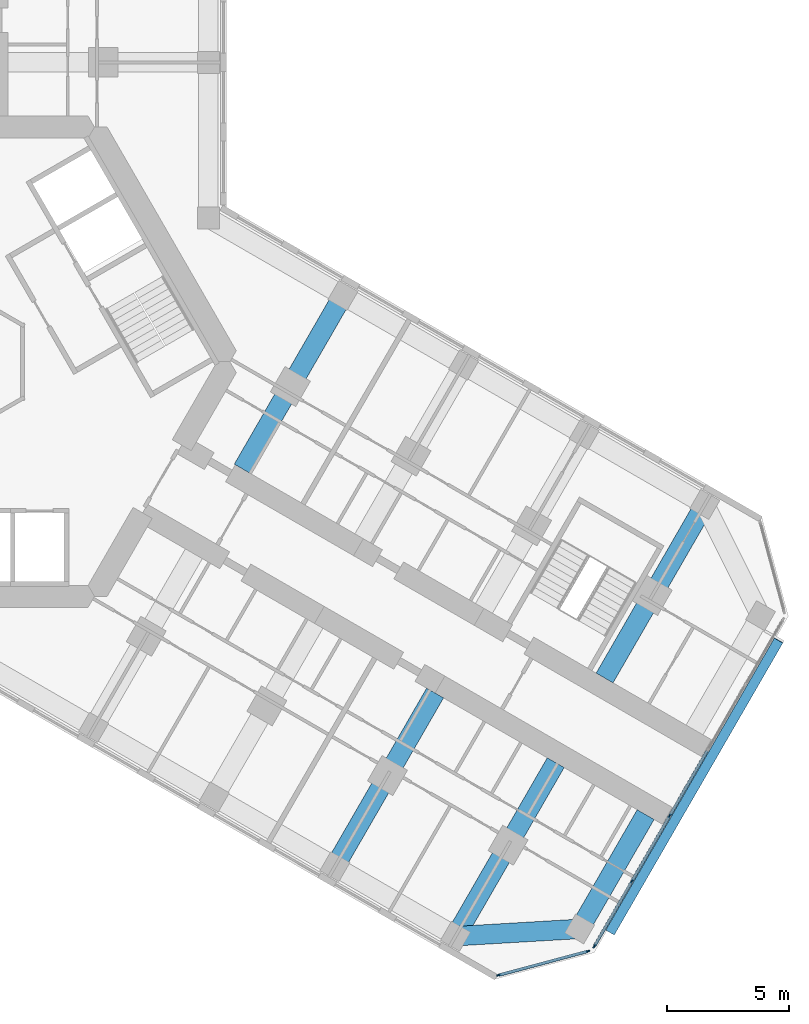
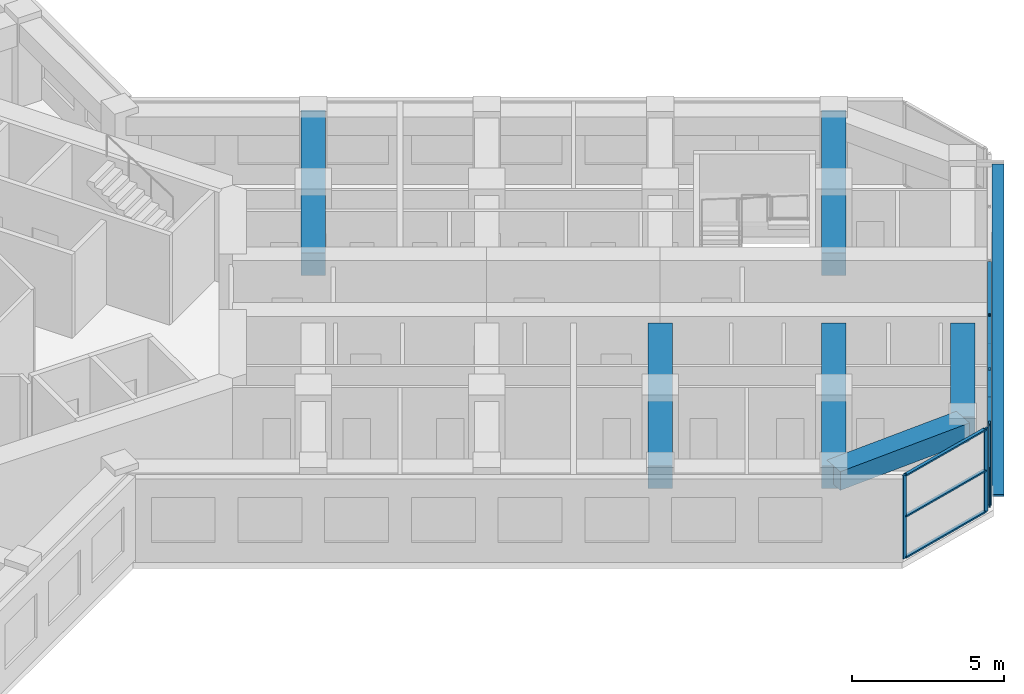
# One storey, part 5 of 20: 15 members, 6 beams, 2 elements without a shape of their own.
"""IFC4 building model written with IfcOpenShell, lengths in metres."""

from ifc_helpers import new_model, si_unit, direction, frame, origin, origin_2d, place, context, subcontext, project, spatial, rectangle, extrude, material, material_profile, profile_set, type_object, element, aggregate, save


model = new_model("IFC4")

# Units and contexts
model_context = context("Model", 3, precision=1e-05, world=origin(), true_north=direction((0.0, 1.0)))
body_context = subcontext(model_context, "Body", "Model", "MODEL_VIEW")
ifc_project = project(units=[si_unit("LENGTHUNIT", "METRE"), si_unit("AREAUNIT", "SQUARE_METRE"), si_unit("VOLUMEUNIT", "CUBIC_METRE"), si_unit("PLANEANGLEUNIT", "RADIAN"), si_unit("MASSUNIT", "GRAM", prefix="KILO")], contexts=[model_context])

# Site, building, storey
site_placement = place(None, origin())
site = spatial("IfcSite", under=ifc_project, at=site_placement, CompositionType="ELEMENT")
building_placement = place(site_placement, origin())
building = spatial("IfcBuilding", under=site, at=building_placement, Name="Kosmar Iwan School Tower", CompositionType="ELEMENT")
storey_placement = place(building_placement, frame((0.0, 0.0, 176.0)))
storey = spatial("IfcBuildingStorey", under=building, at=storey_placement, Name="L44", CompositionType="ELEMENT", Elevation=176.0)

# Member
ifc_material_1 = material(Name="Black anodised aluminium", Category="aluminium")
ifc_material_profile_1 = material_profile(ifc_material_1, rectangle(XDim=0.10009765625, YDim=0.39990234375, at=origin_2d()), Name="FIN 100x400")
ifc_profile_set_1 = profile_set([ifc_material_profile_1], Name="Black anodised aluminium")
member_type_1 = type_object("IfcMemberType", Name="Diagonal fin 100x400", PredefinedType="USERDEFINED", material=ifc_profile_set_1)
member_1_placement = place(storey_placement, frame((26.645263671875, -23.34912109375, -0.14990234375), z_axis=(0.483795538458, 0.837973939202, 0.252470897702), x_axis=(-0.126233699175, -0.218647221293, 0.967604488318)))
element("IfcMember", 1, at=member_1_placement, inside=storey, type_object=member_type_1, Name="Diagonal fin L44-F03", ObjectType="FIN", PredefinedType="USERDEFINED", context=body_context, shape_type="SweptSolid", body=[
    extrude(rectangle(XDim=0.10009765625, YDim=0.39990234375, at=origin_2d()), origin(), (0.0, 0.0, 1.0), 14.258544921875),
])

# Curtain wall, members
ifc_material_2 = material(Name="Dark glass in black aluminium frame", Category="aluminium")
curtain_wall_type_1 = type_object("IfcCurtainWallType", Name="Chamfer curtain wall dark glass", PredefinedType="USERDEFINED", material=ifc_material_2)
curtain_wall_1_placement = place(storey_placement, origin())
curtain_wall_1 = element("IfcCurtainWall", 2, at=curtain_wall_1_placement, inside=storey, type_object=curtain_wall_type_1, Name="Curtain wall L44-F02", ObjectType="FACETED CURTAIN WALL", PredefinedType="USERDEFINED")
ifc_material_3 = material(Name="Black anodised aluminium", Category="aluminium")
ifc_material_profile_2 = material_profile(ifc_material_3, rectangle(XDim=0.06005859375, YDim=0.159912109375, at=origin_2d()), Name="MULLION 60x160")
ifc_profile_set_2 = profile_set([ifc_material_profile_2], Name="Black anodised aluminium")
member_type_2 = type_object("IfcMemberType", Name="Mullion 60x160", PredefinedType="MULLION", material=ifc_profile_set_2)
member_2_placement = place(storey_placement, frame((22.0830078125, -25.102294921875, 0.0), z_axis=(0.0, 0.0, 1.0), x_axis=(-0.258818861462, 0.965925875495, 0.0)))
member_2 = element("IfcMember", 3, at=member_2_placement, type_object=member_type_2, Name="CW2 mullion 1", PredefinedType="MULLION", context=body_context, shape_type="SweptSolid", body=[
    extrude(rectangle(XDim=0.06005859375, YDim=0.159912109375, at=origin_2d()), origin(), (0.0, 0.0, 1.0), 3.35009765625),
])
member_3_placement = place(storey_placement, frame((25.733154296875, -24.124267578125, 0.0), z_axis=(0.0, 0.0, 1.0), x_axis=(-0.258818861462, 0.965925875495, 0.0)))
member_3 = element("IfcMember", 4, at=member_3_placement, type_object=member_type_2, Name="CW2 mullion 2", PredefinedType="MULLION", context=body_context, shape_type="SweptSolid", body=[
    extrude(rectangle(XDim=0.06005859375, YDim=0.159912109375, at=origin_2d()), origin(), (0.0, 0.0, 1.0), 3.35009765625),
])

ifc_material_4 = material(Name="Dark glass in black aluminium frame", Category="aluminium")
curtain_wall_type_2 = type_object("IfcCurtainWallType", Name="Tower curtain wall dark glass", PredefinedType="USERDEFINED", material=ifc_material_4)
curtain_wall_2_placement = place(storey_placement, origin())
curtain_wall_2 = element("IfcCurtainWall", 5, at=curtain_wall_2_placement, inside=storey, type_object=curtain_wall_type_2, Name="Curtain wall L44-F03", ObjectType="UNITISED CURTAIN WALL", PredefinedType="USERDEFINED")
member_4_placement = place(storey_placement, frame((25.9970703125, -23.921630859375, 0.0), z_axis=(0.0, 0.0, 1.0), x_axis=(-0.866025405329, 0.499999997325, 0.0)))
member_4 = element("IfcMember", 6, at=member_4_placement, type_object=member_type_2, Name="CW1 mullion 1", PredefinedType="MULLION", context=body_context, shape_type="SweptSolid", body=[
    extrude(rectangle(XDim=0.06005859375, YDim=0.159912109375, at=origin_2d()), origin(), (0.0, 0.0, 1.0), 3.35009765625),
])
member_5_placement = place(storey_placement, frame((27.53173828125, -21.263671875, 0.0), z_axis=(0.0, 0.0, 1.0), x_axis=(-0.866025405329, 0.499999997325, 0.0)))
member_5 = element("IfcMember", 7, at=member_5_placement, type_object=member_type_2, Name="CW1 mullion 2", PredefinedType="MULLION", context=body_context, shape_type="SweptSolid", body=[
    extrude(rectangle(XDim=0.06005859375, YDim=0.159912109375, at=origin_2d()), origin(), (0.0, 0.0, 1.0), 3.35009765625),
])
member_6_placement = place(storey_placement, frame((29.081298828125, -18.57958984375, 0.0), z_axis=(0.0, 0.0, 1.0), x_axis=(-0.866025405329, 0.499999997325, 0.0)))
member_6 = element("IfcMember", 8, at=member_6_placement, type_object=member_type_2, Name="CW1 mullion 3", PredefinedType="MULLION", context=body_context, shape_type="SweptSolid", body=[
    extrude(rectangle(XDim=0.06005859375, YDim=0.159912109375, at=origin_2d()), origin(), (0.0, 0.0, 1.0), 3.35009765625),
])

# Beams
ifc_material_5 = material(Name="Concrete C50/60", Category="concrete")
ifc_material_profile_3 = material_profile(ifc_material_5, rectangle(XDim=0.800048828125, YDim=0.75, at=origin_2d()), Name="RC 800x750")
ifc_profile_set_3 = profile_set([ifc_material_profile_3], Name="Concrete C50/60")
beam_type_1 = type_object("IfcBeamType", Name="RC tip beam 800x750", PredefinedType="BEAM", material=ifc_profile_set_3)
beam_1_placement = place(storey_placement, frame((20.31787109375, -23.508544921875, 2.97509765625), z_axis=(0.998260616478, 0.058955420358, 0.0), x_axis=(-0.058955420358, 0.998260616478, 0.0)))
element("IfcBeam", 9, at=beam_1_placement, inside=storey, type_object=beam_type_1, Name="Tip beam CR", PredefinedType="BEAM", context=body_context, shape_type="SweptSolid", body=[
    extrude(rectangle(XDim=0.800048828125, YDim=0.75, at=origin_2d()), origin(), (0.0, 0.0, 1.0), 5.08935546875),
])
beam_2_placement = place(storey_placement, frame((25.3984375, -23.20849609375, 2.97509765625), z_axis=(0.499995103361, 0.866028230842, 0.0), x_axis=(-0.866028230842, 0.499995103361, 0.0)))
element("IfcBeam", 10, at=beam_2_placement, inside=storey, type_object=beam_type_1, Name="Tip beam CR to corridor wall", PredefinedType="BEAM", context=body_context, shape_type="SweptSolid", body=[
    extrude(rectangle(XDim=0.800048828125, YDim=0.75, at=origin_2d()), origin(), (0.0, 0.0, 1.0), 5.39990234375),
])
ifc_material_6 = material(Name="Concrete C50/60", Category="concrete")
ifc_material_profile_4 = material_profile(ifc_material_6, rectangle(XDim=0.800048828125, YDim=0.89990234375, at=origin_2d()), Name="RC 800x900")
ifc_profile_set_4 = profile_set([ifc_material_profile_4], Name="Concrete C50/60")
beam_type_2 = type_object("IfcBeamType", Name="RC transverse beam 800x900", PredefinedType="BEAM", material=ifc_profile_set_4)
for number, where, z_axis, x_axis, name in (
    (11, (15.708740234375, 2.70849609375, 2.89990234375), (-0.499978459874, -0.866037839625, 0.0), (0.866037839625, -0.499978459874, 0.0), "Transverse beam CL1"),
    (12, (30.517822265625, -5.841552734375, 2.89990234375), (-0.500013681986, -0.866017504342, 0.0), (0.866017504342, -0.500013681986, 0.0), "Transverse beam CL4"),
    (13, (15.381591796875, -20.658447265625, 2.89990234375), (0.49999135188, 0.866030396721, 0.0), (-0.866030396721, 0.49999135188, 0.0), "Transverse beam CR3"),
    (14, (20.31787109375, -23.508544921875, 2.89990234375), (0.499978459874, 0.866037839625, 0.0), (-0.866037839625, 0.499978459874, 0.0), "Transverse beam CR4"),
):
    element("IfcBeam", number, at=place(storey_placement, frame(where, z_axis=z_axis, x_axis=x_axis)), inside=storey, type_object=beam_type_2, Name=name, PredefinedType="BEAM", context=body_context, shape_type="SweptSolid", body=[
        extrude(rectangle(XDim=0.800048828125, YDim=0.89990234375, at=origin_2d()), origin(), (0.0, 0.0, 1.0), 8.199951171875),
    ])

# Member
ifc_material_7 = material(Name="Black anodised aluminium", Category="aluminium")
ifc_material_profile_5 = material_profile(ifc_material_7, rectangle(XDim=0.1201171875, YDim=0.06005859375, at=origin_2d()), Name="TRANSOM 60x120")
ifc_profile_set_5 = profile_set([ifc_material_profile_5], Name="Black anodised aluminium")
member_type_3 = type_object("IfcMemberType", Name="Transom 60x120", PredefinedType="USERDEFINED", material=ifc_profile_set_5)
member_7_placement = place(storey_placement, frame((22.11181640625, -25.094482421875, 0.030029296875), z_axis=(0.965923731726, 0.258826861991, 0.0), x_axis=(-0.258826861991, 0.965923731726, 0.0)))
member_7 = element("IfcMember", 15, at=member_7_placement, type_object=member_type_3, Name="CW2 transom 1.1", ObjectType="TRANSOM", PredefinedType="USERDEFINED", context=body_context, shape_type="SweptSolid", body=[
    extrude(rectangle(XDim=0.1201171875, YDim=0.06005859375, at=origin_2d()), origin(), (0.0, 0.0, 1.0), 3.71923828125),
])

member_8_placement = place(storey_placement, frame((22.11181640625, -25.094482421875, 1.675048828125), z_axis=(0.965923731726, 0.258826861991, 0.0), x_axis=(-0.258826861991, 0.965923731726, 0.0)))
member_8 = element("IfcMember", 16, at=member_8_placement, type_object=member_type_3, Name="CW2 transom 1.2", ObjectType="TRANSOM", PredefinedType="USERDEFINED", context=body_context, shape_type="SweptSolid", body=[
    extrude(rectangle(XDim=0.1201171875, YDim=0.06005859375, at=origin_2d()), origin(), (0.0, 0.0, 1.0), 3.71923828125),
])

member_9_placement = place(storey_placement, frame((22.11181640625, -25.094482421875, 3.320068359375), z_axis=(0.965923731726, 0.258826861991, 0.0), x_axis=(-0.258826861991, 0.965923731726, 0.0)))
member_9 = element("IfcMember", 17, at=member_9_placement, type_object=member_type_3, Name="CW2 transom 1.3", ObjectType="TRANSOM", PredefinedType="USERDEFINED", context=body_context, shape_type="SweptSolid", body=[
    extrude(rectangle(XDim=0.1201171875, YDim=0.06005859375, at=origin_2d()), origin(), (0.0, 0.0, 1.0), 3.71923828125),
])

aggregate(curtain_wall_1, [member_2, member_3, member_7, member_8, member_9])

member_10_placement = place(storey_placement, frame((26.01220703125, -23.895751953125, 0.030029296875), z_axis=(0.499986971506, 0.866032925658, 0.0), x_axis=(-0.866032925658, 0.499986971506, 0.0)))
member_10 = element("IfcMember", 18, at=member_10_placement, type_object=member_type_3, Name="CW1 transom 1.1", ObjectType="TRANSOM", PredefinedType="USERDEFINED", context=body_context, shape_type="SweptSolid", body=[
    extrude(rectangle(XDim=0.1201171875, YDim=0.06005859375, at=origin_2d()), origin(), (0.0, 0.0, 1.0), 3.00927734375),
])

member_11_placement = place(storey_placement, frame((26.01220703125, -23.895751953125, 3.320068359375), z_axis=(0.499986971506, 0.866032925658, 0.0), x_axis=(-0.866032925658, 0.499986971506, 0.0)))
member_11 = element("IfcMember", 19, at=member_11_placement, type_object=member_type_3, Name="CW1 transom 1.2", ObjectType="TRANSOM", PredefinedType="USERDEFINED", context=body_context, shape_type="SweptSolid", body=[
    extrude(rectangle(XDim=0.1201171875, YDim=0.06005859375, at=origin_2d()), origin(), (0.0, 0.0, 1.0), 3.00927734375),
])

member_12_placement = place(storey_placement, frame((27.546875, -21.237548828125, 0.030029296875), z_axis=(0.499975102327, 0.866039777986, 0.0), x_axis=(-0.866039777986, 0.499975102327, 0.0)))
member_12 = element("IfcMember", 20, at=member_12_placement, type_object=member_type_3, Name="CW1 transom 2.1", ObjectType="TRANSOM", PredefinedType="USERDEFINED", context=body_context, shape_type="SweptSolid", body=[
    extrude(rectangle(XDim=0.1201171875, YDim=0.06005859375, at=origin_2d()), origin(), (0.0, 0.0, 1.0), 3.039306640625),
])

member_13_placement = place(storey_placement, frame((27.546875, -21.237548828125, 3.320068359375), z_axis=(0.499975102327, 0.866039777986, 0.0), x_axis=(-0.866039777986, 0.499975102327, 0.0)))
member_13 = element("IfcMember", 21, at=member_13_placement, type_object=member_type_3, Name="CW1 transom 2.2", ObjectType="TRANSOM", PredefinedType="USERDEFINED", context=body_context, shape_type="SweptSolid", body=[
    extrude(rectangle(XDim=0.1201171875, YDim=0.06005859375, at=origin_2d()), origin(), (0.0, 0.0, 1.0), 3.039306640625),
])

member_14_placement = place(storey_placement, frame((29.096435546875, -18.553466796875, 0.030029296875), z_axis=(0.499975102327, 0.866039777986, 0.0), x_axis=(-0.866039777986, 0.499975102327, 0.0)))
member_14 = element("IfcMember", 22, at=member_14_placement, type_object=member_type_3, Name="CW1 transom 3.1", ObjectType="TRANSOM", PredefinedType="USERDEFINED", context=body_context, shape_type="SweptSolid", body=[
    extrude(rectangle(XDim=0.1201171875, YDim=0.06005859375, at=origin_2d()), origin(), (0.0, 0.0, 1.0), 3.039306640625),
])

member_15_placement = place(storey_placement, frame((29.096435546875, -18.553466796875, 3.320068359375), z_axis=(0.499975102327, 0.866039777986, 0.0), x_axis=(-0.866039777986, 0.499975102327, 0.0)))
member_15 = element("IfcMember", 23, at=member_15_placement, type_object=member_type_3, Name="CW1 transom 3.2", ObjectType="TRANSOM", PredefinedType="USERDEFINED", context=body_context, shape_type="SweptSolid", body=[
    extrude(rectangle(XDim=0.1201171875, YDim=0.06005859375, at=origin_2d()), origin(), (0.0, 0.0, 1.0), 3.039306640625),
])

aggregate(curtain_wall_2, [member_4, member_5, member_6, member_10, member_11, member_12, member_13, member_14, member_15])

save(model, "model.ifc")
